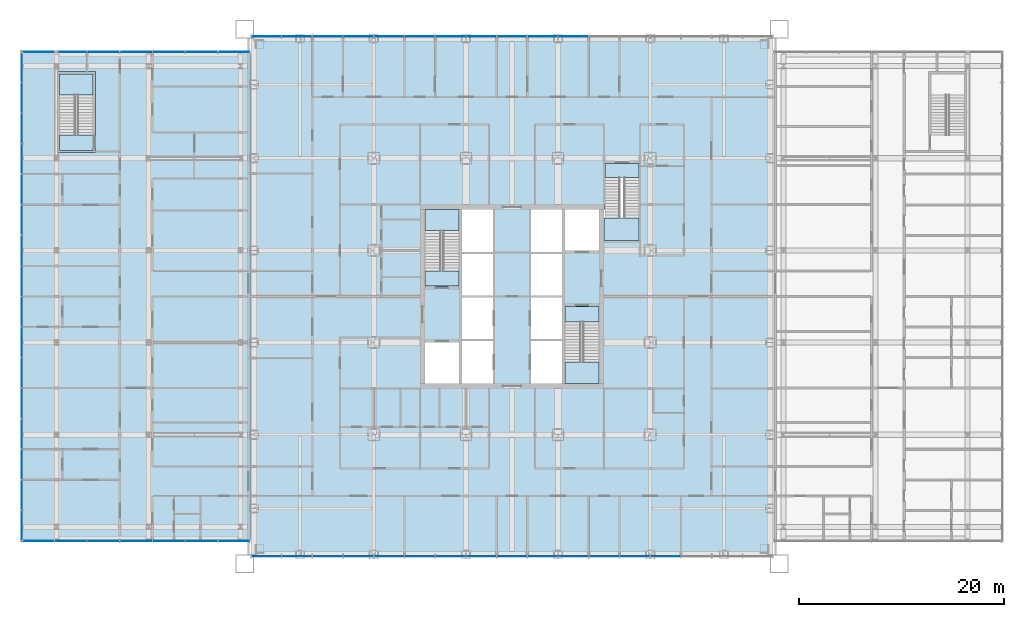
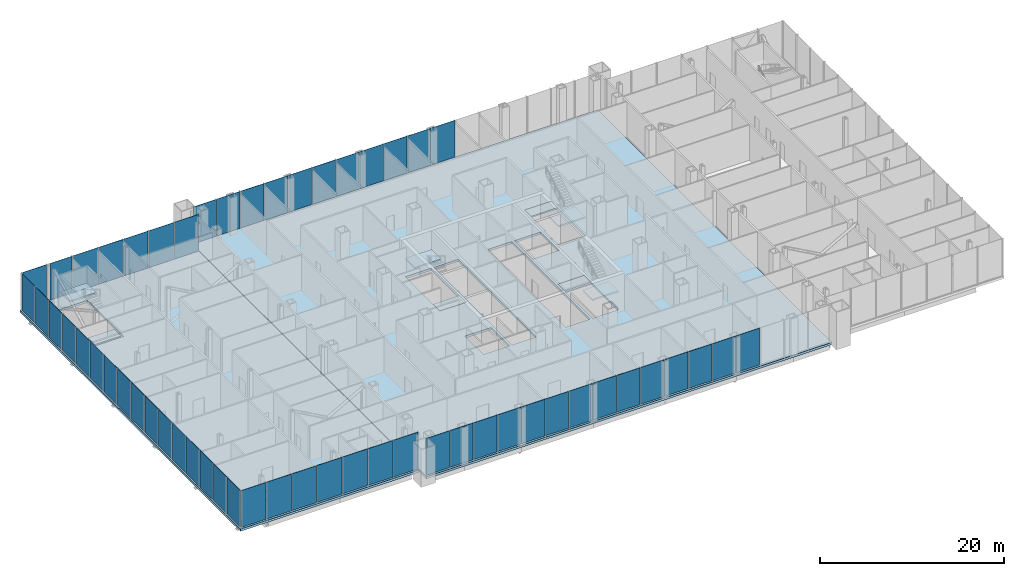
# One storey, part 10 of 25: 55 plates, 10 slabs, 9 elements without a shape of their own.
"""IFC4 building model written with IfcOpenShell, lengths in metres."""

from ifc_helpers import new_model, si_unit, direction, frame, origin, origin_2d, place, context, subcontext, project, spatial, polyline, rectangle, outline, extrude, material, layer, layer_set, type_object, element, aggregate, save


model = new_model("IFC4")

# Units and contexts
model_context = context("Model", 3, precision=1e-05, world=origin(), true_north=direction((0.0, 1.0)))
body_context = subcontext(model_context, "Body", "Model", "MODEL_VIEW")
ifc_project = project(units=[si_unit("LENGTHUNIT", "METRE"), si_unit("AREAUNIT", "SQUARE_METRE"), si_unit("VOLUMEUNIT", "CUBIC_METRE"), si_unit("PLANEANGLEUNIT", "RADIAN"), si_unit("MASSUNIT", "GRAM", prefix="KILO")], contexts=[model_context])

# Site, building, storey
site_placement = place(None, origin())
site = spatial("IfcSite", under=ifc_project, at=site_placement, CompositionType="ELEMENT")
building_placement = place(site_placement, origin())
building = spatial("IfcBuilding", under=site, at=building_placement, Name="Malebo Sky Hospital", CompositionType="ELEMENT")
storey_placement = place(building_placement, frame((0.0, 0.0, 6.0)))
storey = spatial("IfcBuildingStorey", under=building, at=storey_placement, Name="L01", CompositionType="ELEMENT", Elevation=6.0)

# Slabs
ifc_material_1 = material(Name="Concrete C40/50", Category="concrete")
ifc_layer_1 = layer(ifc_material_1, 0.300048828125)
ifc_layer_set_1 = layer_set([ifc_layer_1], Name="COMPOSITE FLOOR SLAB 300")
slab_type_1 = type_object("IfcSlabType", Name="COMPOSITE FLOOR SLAB 300", PredefinedType="FLOOR", material=ifc_layer_set_1)
slab_1_placement = place(storey_placement, frame((0.0, 0.0, -0.300048828125)))
element("IfcSlab", 1, at=slab_1_placement, inside=storey, type_object=slab_type_1, Name="Floor slab L01", PredefinedType="FLOOR", context=body_context, shape_type="SweptSolid", body=[
    extrude(outline(polyline([(34.5, 87.5), (34.5, 36.5), (85.5, 36.5), (85.5, 87.5), (34.5, 87.5)]), holes=[polyline([(55.10009765625, 70.5), (58.14990234375, 70.5), (58.14990234375, 53.5), (55.10009765625, 53.5), (55.10009765625, 70.5)]), polyline([(64.89990234375, 70.5), (64.89990234375, 53.5), (61.85009765625, 53.5), (61.85009765625, 70.5), (64.89990234375, 70.5)]), polyline([(54.800048828125, 63.0), (51.5, 63.0), (51.5, 70.5), (54.800048828125, 70.5), (54.800048828125, 63.0)]), polyline([(51.5, 53.5), (51.5, 57.5), (54.800048828125, 57.5), (54.800048828125, 53.5), (51.5, 53.5)]), polyline([(65.199951171875, 61.0), (68.5, 61.0), (68.5, 53.5), (65.199951171875, 53.5), (65.199951171875, 61.0)]), polyline([(68.5, 70.5), (68.5, 66.5), (65.199951171875, 66.5), (65.199951171875, 70.5), (68.5, 70.5)]), polyline([(69.0, 67.449951171875), (69.0, 70.52001953125), (69.10009765625, 70.52001953125), (69.10009765625, 75.0), (72.39990234375, 75.0), (72.39990234375, 67.449951171875), (69.10009765625, 67.449951171875), (69.0, 67.449951171875)])]), origin(), (0.0, 0.0, 1.0), 0.300048828125),
])
slab_2_placement = place(storey_placement, frame((0.0, 0.0, -0.300048828125)))
element("IfcSlab", 2, at=slab_2_placement, inside=storey, type_object=slab_type_1, Name="Floor slab L01 west wing", PredefinedType="FLOOR", context=body_context, shape_type="SweptSolid", body=[
    extrude(outline(polyline([(34.449951171875, 38.0), (34.449951171875, 86.0), (12.0, 86.0), (12.0, 38.0), (34.449951171875, 38.0)]), holes=[polyline([(19.300048828125, 76.050048828125), (15.60009765625, 76.050048828125), (15.60009765625, 83.949951171875), (19.300048828125, 83.949951171875), (19.300048828125, 76.050048828125)])]), origin(), (0.0, 0.0, 1.0), 0.300048828125),
])

# Stair, slabs
stair_type_1 = type_object("IfcStairType", Name="HALF-TURN STAIR 1500 R167", PredefinedType="HALF_TURN_STAIR", material=ifc_material_1)
stair_1_placement = place(storey_placement, origin())
stair_1 = element("IfcStair", 3, at=stair_1_placement, inside=storey, type_object=stair_type_1, Name="Stair S1 L01 type ST1", PredefinedType="HALF_TURN_STAIR")
ifc_layer_2 = layer(ifc_material_1, 0.199951171875)
ifc_layer_set_2 = layer_set([ifc_layer_2], Name="STAIR LANDING 200")
slab_type_2 = type_object("IfcSlabType", Name="STAIR LANDING 200", PredefinedType="LANDING", material=ifc_layer_set_2)
slab_3_placement = place(storey_placement, frame((0.0, 0.0, -0.199951171875)))
slab_3 = element("IfcSlab", 4, at=slab_3_placement, type_object=slab_type_2, Name="S1 landing 1", PredefinedType="LANDING", context=body_context, shape_type="SweptSolid", body=[
    extrude(outline(polyline([(51.5, 63.0), (54.800048828125, 63.0), (54.800048828125, 64.5), (51.5, 64.5), (51.5, 63.0)])), origin(), (0.0, 0.0, 1.0), 0.199951171875),
])
slab_4_placement = place(storey_placement, frame((0.0, 0.0, 2.300048828125)))
slab_4 = element("IfcSlab", 5, at=slab_4_placement, type_object=slab_type_2, Name="S1 landing 2", PredefinedType="LANDING", context=body_context, shape_type="SweptSolid", body=[
    extrude(outline(polyline([(51.5, 68.419921875), (54.800048828125, 68.419921875), (54.800048828125, 70.5), (51.5, 70.5), (51.5, 68.419921875)])), origin(), (0.0, 0.0, 1.0), 0.199951171875),
])
aggregate(stair_1, [slab_3, slab_4])

stair_2_placement = place(storey_placement, origin())
stair_2 = element("IfcStair", 6, at=stair_2_placement, inside=storey, type_object=stair_type_1, Name="Stair S2 L01 type ST1", PredefinedType="HALF_TURN_STAIR")
slab_5_placement = place(storey_placement, frame((0.0, 0.0, -0.199951171875)))
slab_5 = element("IfcSlab", 7, at=slab_5_placement, type_object=slab_type_2, Name="S2 landing 1", PredefinedType="LANDING", context=body_context, shape_type="SweptSolid", body=[
    extrude(outline(polyline([(65.199951171875, 59.5), (68.5, 59.5), (68.5, 61.0), (65.199951171875, 61.0), (65.199951171875, 59.5)])), origin(), (0.0, 0.0, 1.0), 0.199951171875),
])
slab_6_placement = place(storey_placement, frame((0.0, 0.0, 2.300048828125)))
slab_6 = element("IfcSlab", 8, at=slab_6_placement, type_object=slab_type_2, Name="S2 landing 2", PredefinedType="LANDING", context=body_context, shape_type="SweptSolid", body=[
    extrude(outline(polyline([(65.199951171875, 53.5), (68.5, 53.5), (68.5, 55.580078125), (65.199951171875, 55.580078125), (65.199951171875, 53.5)])), origin(), (0.0, 0.0, 1.0), 0.199951171875),
])
aggregate(stair_2, [slab_5, slab_6])

stair_type_2 = type_object("IfcStairType", Name="HALF-TURN STAIR 1400 R167", PredefinedType="HALF_TURN_STAIR", material=ifc_material_1)
stair_3_placement = place(storey_placement, origin())
stair_3 = element("IfcStair", 9, at=stair_3_placement, inside=storey, type_object=stair_type_2, Name="Stair S3 L01 type ST1B", PredefinedType="HALF_TURN_STAIR")
slab_7_placement = place(storey_placement, frame((0.0, 0.0, -0.199951171875)))
slab_7 = element("IfcSlab", 10, at=slab_7_placement, type_object=slab_type_2, Name="S3 landing 1", PredefinedType="LANDING", context=body_context, shape_type="SweptSolid", body=[
    extrude(outline(polyline([(69.10009765625, 73.60009765625), (72.39990234375, 73.60009765625), (72.39990234375, 75.0), (69.10009765625, 75.0), (69.10009765625, 73.60009765625)])), origin(), (0.0, 0.0, 1.0), 0.199951171875),
])
slab_8_placement = place(storey_placement, frame((0.0, 0.0, 2.300048828125)))
slab_8 = element("IfcSlab", 11, at=slab_8_placement, type_object=slab_type_2, Name="S3 landing 2", PredefinedType="LANDING", context=body_context, shape_type="SweptSolid", body=[
    extrude(outline(polyline([(69.0, 67.449951171875), (72.39990234375, 67.449951171875), (72.39990234375, 69.679931640625), (69.0, 69.679931640625), (69.0, 67.449951171875)])), origin(), (0.0, 0.0, 1.0), 0.199951171875),
])
aggregate(stair_3, [slab_7, slab_8])

stair_4_placement = place(storey_placement, origin())
stair_4 = element("IfcStair", 12, at=stair_4_placement, inside=storey, type_object=stair_type_1, Name="Stair WS L01 type ST1", PredefinedType="HALF_TURN_STAIR")
slab_9_placement = place(storey_placement, frame((0.0, 0.0, -0.199951171875)))
slab_9 = element("IfcSlab", 13, at=slab_9_placement, type_object=slab_type_2, Name="WS landing 1", PredefinedType="LANDING", context=body_context, shape_type="SweptSolid", body=[
    extrude(outline(polyline([(15.800048828125, 76.25), (19.10009765625, 76.25), (19.10009765625, 77.75), (15.800048828125, 77.75), (15.800048828125, 76.25)])), origin(), (0.0, 0.0, 1.0), 0.199951171875),
])
slab_10_placement = place(storey_placement, frame((0.0, 0.0, 2.300048828125)))
slab_10 = element("IfcSlab", 14, at=slab_10_placement, type_object=slab_type_2, Name="WS landing 2", PredefinedType="LANDING", context=body_context, shape_type="SweptSolid", body=[
    extrude(outline(polyline([(15.800048828125, 81.669921875), (19.10009765625, 81.669921875), (19.10009765625, 83.75), (15.800048828125, 83.75), (15.800048828125, 81.669921875)])), origin(), (0.0, 0.0, 1.0), 0.199951171875),
])
aggregate(stair_4, [slab_9, slab_10])

# Curtain wall, plates
ifc_material_2 = material(Name="Anodised aluminium, natural silver", Category="aluminium")
ifc_layer_3 = layer(ifc_material_2, 0.25)
ifc_layer_set_3 = layer_set([ifc_layer_3], Name="PODIUM CURTAIN WALL")
curtain_wall_type_1 = type_object("IfcCurtainWallType", Name="PODIUM CURTAIN WALL", PredefinedType="NOTDEFINED", material=ifc_layer_set_3)
curtain_wall_1_placement = place(storey_placement, origin())
curtain_wall_1 = element("IfcCurtainWall", 15, at=curtain_wall_1_placement, inside=storey, type_object=curtain_wall_type_1, Name="POD curtain wall WW", PredefinedType="NOTDEFINED")
ifc_material_3 = material(Name="Clear low-iron double glazing", Category="glass")
ifc_layer_4 = layer(ifc_material_3, 0.031982421875)
ifc_layer_set_4 = layer_set([ifc_layer_4], Name="VISION PANEL CLEAR 32")
plate_type = type_object("IfcPlateType", Name="VISION PANEL CLEAR 32", PredefinedType="CURTAIN_PANEL", material=ifc_layer_set_4)
plate_1_placement = place(storey_placement, frame((12.125, 84.364013671875, 0.10009765625), z_axis=(0.0, 0.0, 1.0), x_axis=(0.0, -1.0, 0.0)))
plate_1 = element("IfcPlate", 16, at=plate_1_placement, type_object=plate_type, Name="Panel 1", PredefinedType="CURTAIN_PANEL", context=body_context, shape_type="SweptSolid", body=[
    extrude(rectangle(XDim=2.871826171875, YDim=0.031982421875, at=origin_2d()), origin(), (0.0, 0.0, 1.0), 4.889892578125),
])
plate_2_placement = place(storey_placement, frame((12.125, 81.3984375, 0.10009765625), z_axis=(0.0, 0.0, 1.0), x_axis=(0.0, -1.0, 0.0)))
plate_2 = element("IfcPlate", 17, at=plate_2_placement, type_object=plate_type, Name="Panel 2", PredefinedType="CURTAIN_PANEL", context=body_context, shape_type="SweptSolid", body=[
    extrude(rectangle(XDim=2.909423828125, YDim=0.031982421875, at=origin_2d()), origin(), (0.0, 0.0, 1.0), 4.889892578125),
])
plate_3_placement = place(storey_placement, frame((12.125, 78.4140625, 0.10009765625), z_axis=(0.0, 0.0, 1.0), x_axis=(0.0, -1.0, 0.0)))
plate_3 = element("IfcPlate", 18, at=plate_3_placement, type_object=plate_type, Name="Panel 3", PredefinedType="CURTAIN_PANEL", context=body_context, shape_type="SweptSolid", body=[
    extrude(rectangle(XDim=2.9091796875, YDim=0.031982421875, at=origin_2d()), origin(), (0.0, 0.0, 1.0), 4.889892578125),
])
plate_4_placement = place(storey_placement, frame((12.125, 75.4296875, 0.10009765625), z_axis=(0.0, 0.0, 1.0), x_axis=(0.0, -1.0, 0.0)))
plate_4 = element("IfcPlate", 19, at=plate_4_placement, type_object=plate_type, Name="Panel 4", PredefinedType="CURTAIN_PANEL", context=body_context, shape_type="SweptSolid", body=[
    extrude(rectangle(XDim=2.909423828125, YDim=0.031982421875, at=origin_2d()), origin(), (0.0, 0.0, 1.0), 4.889892578125),
])
plate_5_placement = place(storey_placement, frame((12.125, 72.4453125, 0.10009765625), z_axis=(0.0, 0.0, 1.0), x_axis=(0.0, -1.0, 0.0)))
plate_5 = element("IfcPlate", 20, at=plate_5_placement, type_object=plate_type, Name="Panel 5", PredefinedType="CURTAIN_PANEL", context=body_context, shape_type="SweptSolid", body=[
    extrude(rectangle(XDim=2.909423828125, YDim=0.031982421875, at=origin_2d()), origin(), (0.0, 0.0, 1.0), 4.889892578125),
])
plate_6_placement = place(storey_placement, frame((12.125, 69.4609375, 0.10009765625), z_axis=(0.0, 0.0, 1.0), x_axis=(0.0, -1.0, 0.0)))
plate_6 = element("IfcPlate", 21, at=plate_6_placement, type_object=plate_type, Name="Panel 6", PredefinedType="CURTAIN_PANEL", context=body_context, shape_type="SweptSolid", body=[
    extrude(rectangle(XDim=2.9091796875, YDim=0.031982421875, at=origin_2d()), origin(), (0.0, 0.0, 1.0), 4.889892578125),
])
plate_7_placement = place(storey_placement, frame((12.125, 66.4765625, 0.10009765625), z_axis=(0.0, 0.0, 1.0), x_axis=(0.0, -1.0, 0.0)))
plate_7 = element("IfcPlate", 22, at=plate_7_placement, type_object=plate_type, Name="Panel 7", PredefinedType="CURTAIN_PANEL", context=body_context, shape_type="SweptSolid", body=[
    extrude(rectangle(XDim=2.909423828125, YDim=0.031982421875, at=origin_2d()), origin(), (0.0, 0.0, 1.0), 4.889892578125),
])
plate_8_placement = place(storey_placement, frame((12.125, 63.4921875, 0.10009765625), z_axis=(0.0, 0.0, 1.0), x_axis=(0.0, -1.0, 0.0)))
plate_8 = element("IfcPlate", 23, at=plate_8_placement, type_object=plate_type, Name="Panel 8", PredefinedType="CURTAIN_PANEL", context=body_context, shape_type="SweptSolid", body=[
    extrude(rectangle(XDim=2.909423828125, YDim=0.031982421875, at=origin_2d()), origin(), (0.0, 0.0, 1.0), 4.889892578125),
])
plate_9_placement = place(storey_placement, frame((12.125, 60.5078125, 0.10009765625), z_axis=(0.0, 0.0, 1.0), x_axis=(0.0, -1.0, 0.0)))
plate_9 = element("IfcPlate", 24, at=plate_9_placement, type_object=plate_type, Name="Panel 9", PredefinedType="CURTAIN_PANEL", context=body_context, shape_type="SweptSolid", body=[
    extrude(rectangle(XDim=2.909423828125, YDim=0.031982421875, at=origin_2d()), origin(), (0.0, 0.0, 1.0), 4.889892578125),
])
plate_10_placement = place(storey_placement, frame((12.125, 57.5234375, 0.10009765625), z_axis=(0.0, 0.0, 1.0), x_axis=(0.0, -1.0, 0.0)))
plate_10 = element("IfcPlate", 25, at=plate_10_placement, type_object=plate_type, Name="Panel 10", PredefinedType="CURTAIN_PANEL", context=body_context, shape_type="SweptSolid", body=[
    extrude(rectangle(XDim=2.909423828125, YDim=0.031982421875, at=origin_2d()), origin(), (0.0, 0.0, 1.0), 4.889892578125),
])
plate_11_placement = place(storey_placement, frame((12.125, 54.5390625, 0.10009765625), z_axis=(0.0, 0.0, 1.0), x_axis=(0.0, -1.0, 0.0)))
plate_11 = element("IfcPlate", 26, at=plate_11_placement, type_object=plate_type, Name="Panel 11", PredefinedType="CURTAIN_PANEL", context=body_context, shape_type="SweptSolid", body=[
    extrude(rectangle(XDim=2.9091796875, YDim=0.031982421875, at=origin_2d()), origin(), (0.0, 0.0, 1.0), 4.889892578125),
])
plate_12_placement = place(storey_placement, frame((12.125, 51.5546875, 0.10009765625), z_axis=(0.0, 0.0, 1.0), x_axis=(0.0, -1.0, 0.0)))
plate_12 = element("IfcPlate", 27, at=plate_12_placement, type_object=plate_type, Name="Panel 12", PredefinedType="CURTAIN_PANEL", context=body_context, shape_type="SweptSolid", body=[
    extrude(rectangle(XDim=2.909423828125, YDim=0.031982421875, at=origin_2d()), origin(), (0.0, 0.0, 1.0), 4.889892578125),
])
plate_13_placement = place(storey_placement, frame((12.125, 48.5703125, 0.10009765625), z_axis=(0.0, 0.0, 1.0), x_axis=(0.0, -1.0, 0.0)))
plate_13 = element("IfcPlate", 28, at=plate_13_placement, type_object=plate_type, Name="Panel 13", PredefinedType="CURTAIN_PANEL", context=body_context, shape_type="SweptSolid", body=[
    extrude(rectangle(XDim=2.909423828125, YDim=0.031982421875, at=origin_2d()), origin(), (0.0, 0.0, 1.0), 4.889892578125),
])
plate_14_placement = place(storey_placement, frame((12.125, 45.5859375, 0.10009765625), z_axis=(0.0, 0.0, 1.0), x_axis=(0.0, -1.0, 0.0)))
plate_14 = element("IfcPlate", 29, at=plate_14_placement, type_object=plate_type, Name="Panel 14", PredefinedType="CURTAIN_PANEL", context=body_context, shape_type="SweptSolid", body=[
    extrude(rectangle(XDim=2.9091796875, YDim=0.031982421875, at=origin_2d()), origin(), (0.0, 0.0, 1.0), 4.889892578125),
])
plate_15_placement = place(storey_placement, frame((12.125, 42.6015625, 0.10009765625), z_axis=(0.0, 0.0, 1.0), x_axis=(0.0, -1.0, 0.0)))
plate_15 = element("IfcPlate", 30, at=plate_15_placement, type_object=plate_type, Name="Panel 15", PredefinedType="CURTAIN_PANEL", context=body_context, shape_type="SweptSolid", body=[
    extrude(rectangle(XDim=2.909423828125, YDim=0.031982421875, at=origin_2d()), origin(), (0.0, 0.0, 1.0), 4.889892578125),
])
plate_16_placement = place(storey_placement, frame((12.125, 39.635986328125, 0.10009765625), z_axis=(0.0, 0.0, 1.0), x_axis=(0.0, -1.0, 0.0)))
plate_16 = element("IfcPlate", 31, at=plate_16_placement, type_object=plate_type, Name="Panel 16", PredefinedType="CURTAIN_PANEL", context=body_context, shape_type="SweptSolid", body=[
    extrude(rectangle(XDim=2.871826171875, YDim=0.031982421875, at=origin_2d()), origin(), (0.0, 0.0, 1.0), 4.889892578125),
])
aggregate(curtain_wall_1, [plate_1, plate_2, plate_3, plate_4, plate_5, plate_6, plate_7, plate_8, plate_9, plate_10, plate_11, plate_12, plate_13, plate_14, plate_15, plate_16])

curtain_wall_2_placement = place(storey_placement, origin())
curtain_wall_2 = element("IfcCurtainWall", 32, at=curtain_wall_2_placement, inside=storey, type_object=curtain_wall_type_1, Name="POD curtain wall WS", PredefinedType="NOTDEFINED")
plate_17_placement = place(storey_placement, frame((13.73828125, 38.125, 0.10009765625), z_axis=(0.0, 0.0, 1.0), x_axis=(1.0, 0.0, 0.0)))
plate_17 = element("IfcPlate", 33, at=plate_17_placement, type_object=plate_type, Name="Panel 1", PredefinedType="CURTAIN_PANEL", context=body_context, shape_type="SweptSolid", body=[
    extrude(rectangle(XDim=3.076904296875, YDim=0.031982421875, at=origin_2d()), origin(), (0.0, 0.0, 1.0), 4.889892578125),
])
plate_18_placement = place(storey_placement, frame((16.908935546875, 38.125, 0.10009765625), z_axis=(0.0, 0.0, 1.0), x_axis=(1.0, 0.0, 0.0)))
plate_18 = element("IfcPlate", 34, at=plate_18_placement, type_object=plate_type, Name="Panel 2", PredefinedType="CURTAIN_PANEL", context=body_context, shape_type="SweptSolid", body=[
    extrude(rectangle(XDim=3.1142578125, YDim=0.031982421875, at=origin_2d()), origin(), (0.0, 0.0, 1.0), 4.889892578125),
])
plate_19_placement = place(storey_placement, frame((20.09814453125, 38.125, 0.10009765625), z_axis=(0.0, 0.0, 1.0), x_axis=(1.0, 0.0, 0.0)))
plate_19 = element("IfcPlate", 35, at=plate_19_placement, type_object=plate_type, Name="Panel 3", PredefinedType="CURTAIN_PANEL", context=body_context, shape_type="SweptSolid", body=[
    extrude(rectangle(XDim=3.1142578125, YDim=0.031982421875, at=origin_2d()), origin(), (0.0, 0.0, 1.0), 4.889892578125),
])
plate_20_placement = place(storey_placement, frame((23.28759765625, 38.125, 0.10009765625), z_axis=(0.0, 0.0, 1.0), x_axis=(1.0, 0.0, 0.0)))
plate_20 = element("IfcPlate", 36, at=plate_20_placement, type_object=plate_type, Name="Panel 4", PredefinedType="CURTAIN_PANEL", context=body_context, shape_type="SweptSolid", body=[
    extrude(rectangle(XDim=3.1142578125, YDim=0.031982421875, at=origin_2d()), origin(), (0.0, 0.0, 1.0), 4.889892578125),
])
plate_21_placement = place(storey_placement, frame((26.476806640625, 38.125, 0.10009765625), z_axis=(0.0, 0.0, 1.0), x_axis=(1.0, 0.0, 0.0)))
plate_21 = element("IfcPlate", 37, at=plate_21_placement, type_object=plate_type, Name="Panel 5", PredefinedType="CURTAIN_PANEL", context=body_context, shape_type="SweptSolid", body=[
    extrude(rectangle(XDim=3.1142578125, YDim=0.031982421875, at=origin_2d()), origin(), (0.0, 0.0, 1.0), 4.889892578125),
])
plate_22_placement = place(storey_placement, frame((29.666015625, 38.125, 0.10009765625), z_axis=(0.0, 0.0, 1.0), x_axis=(1.0, 0.0, 0.0)))
plate_22 = element("IfcPlate", 38, at=plate_22_placement, type_object=plate_type, Name="Panel 6", PredefinedType="CURTAIN_PANEL", context=body_context, shape_type="SweptSolid", body=[
    extrude(rectangle(XDim=3.1142578125, YDim=0.031982421875, at=origin_2d()), origin(), (0.0, 0.0, 1.0), 4.889892578125),
])
plate_23_placement = place(storey_placement, frame((32.836669921875, 38.125, 0.10009765625), z_axis=(0.0, 0.0, 1.0), x_axis=(1.0, 0.0, 0.0)))
plate_23 = element("IfcPlate", 39, at=plate_23_placement, type_object=plate_type, Name="Panel 7", PredefinedType="CURTAIN_PANEL", context=body_context, shape_type="SweptSolid", body=[
    extrude(rectangle(XDim=3.076904296875, YDim=0.031982421875, at=origin_2d()), origin(), (0.0, 0.0, 1.0), 4.889892578125),
])
aggregate(curtain_wall_2, [plate_17, plate_18, plate_19, plate_20, plate_21, plate_22, plate_23])

curtain_wall_3_placement = place(storey_placement, origin())
curtain_wall_3 = element("IfcCurtainWall", 40, at=curtain_wall_3_placement, inside=storey, type_object=curtain_wall_type_1, Name="POD curtain wall WN", PredefinedType="NOTDEFINED")
plate_24_placement = place(storey_placement, frame((32.836669921875, 85.875, 0.10009765625), z_axis=(0.0, 0.0, 1.0), x_axis=(-1.0, 0.0, 0.0)))
plate_24 = element("IfcPlate", 41, at=plate_24_placement, type_object=plate_type, Name="Panel 1", PredefinedType="CURTAIN_PANEL", context=body_context, shape_type="SweptSolid", body=[
    extrude(rectangle(XDim=3.076904296875, YDim=0.031982421875, at=origin_2d()), origin(), (0.0, 0.0, 1.0), 4.889892578125),
])
plate_25_placement = place(storey_placement, frame((29.666015625, 85.875, 0.10009765625), z_axis=(0.0, 0.0, 1.0), x_axis=(-1.0, 0.0, 0.0)))
plate_25 = element("IfcPlate", 42, at=plate_25_placement, type_object=plate_type, Name="Panel 2", PredefinedType="CURTAIN_PANEL", context=body_context, shape_type="SweptSolid", body=[
    extrude(rectangle(XDim=3.1142578125, YDim=0.031982421875, at=origin_2d()), origin(), (0.0, 0.0, 1.0), 4.889892578125),
])
plate_26_placement = place(storey_placement, frame((26.476806640625, 85.875, 0.10009765625), z_axis=(0.0, 0.0, 1.0), x_axis=(-1.0, 0.0, 0.0)))
plate_26 = element("IfcPlate", 43, at=plate_26_placement, type_object=plate_type, Name="Panel 3", PredefinedType="CURTAIN_PANEL", context=body_context, shape_type="SweptSolid", body=[
    extrude(rectangle(XDim=3.1142578125, YDim=0.031982421875, at=origin_2d()), origin(), (0.0, 0.0, 1.0), 4.889892578125),
])
plate_27_placement = place(storey_placement, frame((23.28759765625, 85.875, 0.10009765625), z_axis=(0.0, 0.0, 1.0), x_axis=(-1.0, 0.0, 0.0)))
plate_27 = element("IfcPlate", 44, at=plate_27_placement, type_object=plate_type, Name="Panel 4", PredefinedType="CURTAIN_PANEL", context=body_context, shape_type="SweptSolid", body=[
    extrude(rectangle(XDim=3.1142578125, YDim=0.031982421875, at=origin_2d()), origin(), (0.0, 0.0, 1.0), 4.889892578125),
])
plate_28_placement = place(storey_placement, frame((20.09814453125, 85.875, 0.10009765625), z_axis=(0.0, 0.0, 1.0), x_axis=(-1.0, 0.0, 0.0)))
plate_28 = element("IfcPlate", 45, at=plate_28_placement, type_object=plate_type, Name="Panel 5", PredefinedType="CURTAIN_PANEL", context=body_context, shape_type="SweptSolid", body=[
    extrude(rectangle(XDim=3.1142578125, YDim=0.031982421875, at=origin_2d()), origin(), (0.0, 0.0, 1.0), 4.889892578125),
])
plate_29_placement = place(storey_placement, frame((17.07666015625, 85.875, 0.160400390625), z_axis=(0.0, 0.0, 1.0), x_axis=(-1.0, 0.0, 0.0)))
plate_29 = element("IfcPlate", 46, at=plate_29_placement, type_object=plate_type, Name="Panel 6", PredefinedType="CURTAIN_PANEL", context=body_context, shape_type="SweptSolid", body=[
    extrude(outline(polyline([(-1.389404296875, 0.0), (1.389404296875, 0.0), (1.389404296875, 4.82958984375), (-1.389404296875, 4.82958984375), (-1.389404296875, 0.0)])), frame((0.0, 0.01611328125, 0.0), z_axis=(0.0, -1.0, 0.0), x_axis=(1.0, 0.0, 0.0)), (0.0, 0.0, 1.0), 0.031982421875),
])
plate_30_placement = place(storey_placement, frame((13.73828125, 85.875, 0.10009765625), z_axis=(0.0, 0.0, 1.0), x_axis=(-1.0, 0.0, 0.0)))
plate_30 = element("IfcPlate", 47, at=plate_30_placement, type_object=plate_type, Name="Panel 7", PredefinedType="CURTAIN_PANEL", context=body_context, shape_type="SweptSolid", body=[
    extrude(rectangle(XDim=3.076904296875, YDim=0.031982421875, at=origin_2d()), origin(), (0.0, 0.0, 1.0), 4.889892578125),
])
aggregate(curtain_wall_3, [plate_24, plate_25, plate_26, plate_27, plate_28, plate_29, plate_30])

ifc_layer_5 = layer(ifc_material_2, 0.25)
ifc_layer_set_5 = layer_set([ifc_layer_5], Name="PODIUM ENTRANCE BAY CURTAIN WALL")
curtain_wall_type_2 = type_object("IfcCurtainWallType", Name="PODIUM ENTRANCE BAY CURTAIN WALL", PredefinedType="NOTDEFINED", material=ifc_layer_set_5)
curtain_wall_4_placement = place(storey_placement, origin())
curtain_wall_4 = element("IfcCurtainWall", 48, at=curtain_wall_4_placement, inside=storey, type_object=curtain_wall_type_2, Name="BAY curtain wall BS", PredefinedType="NOTDEFINED")
plate_31_placement = place(storey_placement, frame((36.018798828125, 36.625, 0.10009765625), z_axis=(0.0, 0.0, 1.0), x_axis=(1.0, 0.0, 0.0)))
plate_31 = element("IfcPlate", 49, at=plate_31_placement, type_object=plate_type, Name="Panel 1", PredefinedType="CURTAIN_PANEL", context=body_context, shape_type="SweptSolid", body=[
    extrude(rectangle(XDim=2.887451171875, YDim=0.031982421875, at=origin_2d()), origin(), (0.0, 0.0, 1.0), 4.889892578125),
])
plate_32_placement = place(storey_placement, frame((39.0, 36.625, 0.10009765625), z_axis=(0.0, 0.0, 1.0), x_axis=(1.0, 0.0, 0.0)))
plate_32 = element("IfcPlate", 50, at=plate_32_placement, type_object=plate_type, Name="Panel 2", PredefinedType="CURTAIN_PANEL", context=body_context, shape_type="SweptSolid", body=[
    extrude(rectangle(XDim=2.925048828125, YDim=0.031982421875, at=origin_2d()), origin(), (0.0, 0.0, 1.0), 4.889892578125),
])
plate_33_placement = place(storey_placement, frame((42.0, 36.625, 0.10009765625), z_axis=(0.0, 0.0, 1.0), x_axis=(1.0, 0.0, 0.0)))
plate_33 = element("IfcPlate", 51, at=plate_33_placement, type_object=plate_type, Name="Panel 3", PredefinedType="CURTAIN_PANEL", context=body_context, shape_type="SweptSolid", body=[
    extrude(rectangle(XDim=2.925048828125, YDim=0.031982421875, at=origin_2d()), origin(), (0.0, 0.0, 1.0), 4.889892578125),
])
plate_34_placement = place(storey_placement, frame((45.0, 36.625, 0.10009765625), z_axis=(0.0, 0.0, 1.0), x_axis=(1.0, 0.0, 0.0)))
plate_34 = element("IfcPlate", 52, at=plate_34_placement, type_object=plate_type, Name="Panel 4", PredefinedType="CURTAIN_PANEL", context=body_context, shape_type="SweptSolid", body=[
    extrude(rectangle(XDim=2.925048828125, YDim=0.031982421875, at=origin_2d()), origin(), (0.0, 0.0, 1.0), 4.889892578125),
])
plate_35_placement = place(storey_placement, frame((48.0, 36.625, 0.10009765625), z_axis=(0.0, 0.0, 1.0), x_axis=(1.0, 0.0, 0.0)))
plate_35 = element("IfcPlate", 53, at=plate_35_placement, type_object=plate_type, Name="Panel 5", PredefinedType="CURTAIN_PANEL", context=body_context, shape_type="SweptSolid", body=[
    extrude(rectangle(XDim=2.925048828125, YDim=0.031982421875, at=origin_2d()), origin(), (0.0, 0.0, 1.0), 4.889892578125),
])
plate_36_placement = place(storey_placement, frame((51.0, 36.625, 0.10009765625), z_axis=(0.0, 0.0, 1.0), x_axis=(1.0, 0.0, 0.0)))
plate_36 = element("IfcPlate", 54, at=plate_36_placement, type_object=plate_type, Name="Panel 6", PredefinedType="CURTAIN_PANEL", context=body_context, shape_type="SweptSolid", body=[
    extrude(rectangle(XDim=2.925048828125, YDim=0.031982421875, at=origin_2d()), origin(), (0.0, 0.0, 1.0), 4.889892578125),
])
plate_37_placement = place(storey_placement, frame((54.0, 36.625, 0.10009765625), z_axis=(0.0, 0.0, 1.0), x_axis=(1.0, 0.0, 0.0)))
plate_37 = element("IfcPlate", 55, at=plate_37_placement, type_object=plate_type, Name="Panel 7", PredefinedType="CURTAIN_PANEL", context=body_context, shape_type="SweptSolid", body=[
    extrude(rectangle(XDim=2.925048828125, YDim=0.031982421875, at=origin_2d()), origin(), (0.0, 0.0, 1.0), 4.889892578125),
])
plate_38_placement = place(storey_placement, frame((57.0, 36.625, 0.10009765625), z_axis=(0.0, 0.0, 1.0), x_axis=(1.0, 0.0, 0.0)))
plate_38 = element("IfcPlate", 56, at=plate_38_placement, type_object=plate_type, Name="Panel 8", PredefinedType="CURTAIN_PANEL", context=body_context, shape_type="SweptSolid", body=[
    extrude(rectangle(XDim=2.925048828125, YDim=0.031982421875, at=origin_2d()), origin(), (0.0, 0.0, 1.0), 4.889892578125),
])
plate_39_placement = place(storey_placement, frame((60.0, 36.625, 0.10009765625), z_axis=(0.0, 0.0, 1.0), x_axis=(1.0, 0.0, 0.0)))
plate_39 = element("IfcPlate", 57, at=plate_39_placement, type_object=plate_type, Name="Panel 9", PredefinedType="CURTAIN_PANEL", context=body_context, shape_type="SweptSolid", body=[
    extrude(rectangle(XDim=2.925048828125, YDim=0.031982421875, at=origin_2d()), origin(), (0.0, 0.0, 1.0), 4.889892578125),
])
plate_40_placement = place(storey_placement, frame((63.0, 36.625, 0.10009765625), z_axis=(0.0, 0.0, 1.0), x_axis=(1.0, 0.0, 0.0)))
plate_40 = element("IfcPlate", 58, at=plate_40_placement, type_object=plate_type, Name="Panel 10", PredefinedType="CURTAIN_PANEL", context=body_context, shape_type="SweptSolid", body=[
    extrude(rectangle(XDim=2.925048828125, YDim=0.031982421875, at=origin_2d()), origin(), (0.0, 0.0, 1.0), 4.889892578125),
])
plate_41_placement = place(storey_placement, frame((66.0, 36.625, 0.10009765625), z_axis=(0.0, 0.0, 1.0), x_axis=(1.0, 0.0, 0.0)))
plate_41 = element("IfcPlate", 59, at=plate_41_placement, type_object=plate_type, Name="Panel 11", PredefinedType="CURTAIN_PANEL", context=body_context, shape_type="SweptSolid", body=[
    extrude(rectangle(XDim=2.925048828125, YDim=0.031982421875, at=origin_2d()), origin(), (0.0, 0.0, 1.0), 4.889892578125),
])
plate_42_placement = place(storey_placement, frame((69.0, 36.625, 0.10009765625), z_axis=(0.0, 0.0, 1.0), x_axis=(1.0, 0.0, 0.0)))
plate_42 = element("IfcPlate", 60, at=plate_42_placement, type_object=plate_type, Name="Panel 12", PredefinedType="CURTAIN_PANEL", context=body_context, shape_type="SweptSolid", body=[
    extrude(rectangle(XDim=2.925048828125, YDim=0.031982421875, at=origin_2d()), origin(), (0.0, 0.0, 1.0), 4.889892578125),
])
plate_43_placement = place(storey_placement, frame((72.0, 36.625, 0.10009765625), z_axis=(0.0, 0.0, 1.0), x_axis=(1.0, 0.0, 0.0)))
plate_43 = element("IfcPlate", 61, at=plate_43_placement, type_object=plate_type, Name="Panel 13", PredefinedType="CURTAIN_PANEL", context=body_context, shape_type="SweptSolid", body=[
    extrude(rectangle(XDim=2.925048828125, YDim=0.031982421875, at=origin_2d()), origin(), (0.0, 0.0, 1.0), 4.889892578125),
])
plate_44_placement = place(storey_placement, frame((75.0, 36.625, 0.10009765625), z_axis=(0.0, 0.0, 1.0), x_axis=(1.0, 0.0, 0.0)))
plate_44 = element("IfcPlate", 62, at=plate_44_placement, type_object=plate_type, Name="Panel 14", PredefinedType="CURTAIN_PANEL", context=body_context, shape_type="SweptSolid", body=[
    extrude(rectangle(XDim=2.925048828125, YDim=0.031982421875, at=origin_2d()), origin(), (0.0, 0.0, 1.0), 4.889892578125),
])
aggregate(curtain_wall_4, [plate_31, plate_32, plate_33, plate_34, plate_35, plate_36, plate_37, plate_38, plate_39, plate_40, plate_41, plate_42, plate_43, plate_44])

curtain_wall_5_placement = place(storey_placement, origin())
curtain_wall_5 = element("IfcCurtainWall", 63, at=curtain_wall_5_placement, inside=storey, type_object=curtain_wall_type_2, Name="BAY curtain wall BN", PredefinedType="NOTDEFINED")
plate_45_placement = place(storey_placement, frame((66.0, 87.375, 0.10009765625), z_axis=(0.0, 0.0, 1.0), x_axis=(-1.0, 0.0, 0.0)))
plate_45 = element("IfcPlate", 64, at=plate_45_placement, type_object=plate_type, Name="Panel 7", PredefinedType="CURTAIN_PANEL", context=body_context, shape_type="SweptSolid", body=[
    extrude(rectangle(XDim=2.925048828125, YDim=0.031982421875, at=origin_2d()), origin(), (0.0, 0.0, 1.0), 4.889892578125),
])
plate_46_placement = place(storey_placement, frame((63.0, 87.375, 0.10009765625), z_axis=(0.0, 0.0, 1.0), x_axis=(-1.0, 0.0, 0.0)))
plate_46 = element("IfcPlate", 65, at=plate_46_placement, type_object=plate_type, Name="Panel 8", PredefinedType="CURTAIN_PANEL", context=body_context, shape_type="SweptSolid", body=[
    extrude(rectangle(XDim=2.925048828125, YDim=0.031982421875, at=origin_2d()), origin(), (0.0, 0.0, 1.0), 4.889892578125),
])
plate_47_placement = place(storey_placement, frame((60.0, 87.375, 0.10009765625), z_axis=(0.0, 0.0, 1.0), x_axis=(-1.0, 0.0, 0.0)))
plate_47 = element("IfcPlate", 66, at=plate_47_placement, type_object=plate_type, Name="Panel 9", PredefinedType="CURTAIN_PANEL", context=body_context, shape_type="SweptSolid", body=[
    extrude(rectangle(XDim=2.925048828125, YDim=0.031982421875, at=origin_2d()), origin(), (0.0, 0.0, 1.0), 4.889892578125),
])
plate_48_placement = place(storey_placement, frame((57.0, 87.375, 0.10009765625), z_axis=(0.0, 0.0, 1.0), x_axis=(-1.0, 0.0, 0.0)))
plate_48 = element("IfcPlate", 67, at=plate_48_placement, type_object=plate_type, Name="Panel 10", PredefinedType="CURTAIN_PANEL", context=body_context, shape_type="SweptSolid", body=[
    extrude(rectangle(XDim=2.925048828125, YDim=0.031982421875, at=origin_2d()), origin(), (0.0, 0.0, 1.0), 4.889892578125),
])
plate_49_placement = place(storey_placement, frame((54.0, 87.375, 0.10009765625), z_axis=(0.0, 0.0, 1.0), x_axis=(-1.0, 0.0, 0.0)))
plate_49 = element("IfcPlate", 68, at=plate_49_placement, type_object=plate_type, Name="Panel 11", PredefinedType="CURTAIN_PANEL", context=body_context, shape_type="SweptSolid", body=[
    extrude(rectangle(XDim=2.925048828125, YDim=0.031982421875, at=origin_2d()), origin(), (0.0, 0.0, 1.0), 4.889892578125),
])
plate_50_placement = place(storey_placement, frame((51.0, 87.375, 0.10009765625), z_axis=(0.0, 0.0, 1.0), x_axis=(-1.0, 0.0, 0.0)))
plate_50 = element("IfcPlate", 69, at=plate_50_placement, type_object=plate_type, Name="Panel 12", PredefinedType="CURTAIN_PANEL", context=body_context, shape_type="SweptSolid", body=[
    extrude(rectangle(XDim=2.925048828125, YDim=0.031982421875, at=origin_2d()), origin(), (0.0, 0.0, 1.0), 4.889892578125),
])
plate_51_placement = place(storey_placement, frame((48.0, 87.375, 0.10009765625), z_axis=(0.0, 0.0, 1.0), x_axis=(-1.0, 0.0, 0.0)))
plate_51 = element("IfcPlate", 70, at=plate_51_placement, type_object=plate_type, Name="Panel 13", PredefinedType="CURTAIN_PANEL", context=body_context, shape_type="SweptSolid", body=[
    extrude(rectangle(XDim=2.925048828125, YDim=0.031982421875, at=origin_2d()), origin(), (0.0, 0.0, 1.0), 4.889892578125),
])
plate_52_placement = place(storey_placement, frame((45.0, 87.375, 0.10009765625), z_axis=(0.0, 0.0, 1.0), x_axis=(-1.0, 0.0, 0.0)))
plate_52 = element("IfcPlate", 71, at=plate_52_placement, type_object=plate_type, Name="Panel 14", PredefinedType="CURTAIN_PANEL", context=body_context, shape_type="SweptSolid", body=[
    extrude(rectangle(XDim=2.925048828125, YDim=0.031982421875, at=origin_2d()), origin(), (0.0, 0.0, 1.0), 4.889892578125),
])
plate_53_placement = place(storey_placement, frame((42.0, 87.375, 0.10009765625), z_axis=(0.0, 0.0, 1.0), x_axis=(-1.0, 0.0, 0.0)))
plate_53 = element("IfcPlate", 72, at=plate_53_placement, type_object=plate_type, Name="Panel 15", PredefinedType="CURTAIN_PANEL", context=body_context, shape_type="SweptSolid", body=[
    extrude(rectangle(XDim=2.925048828125, YDim=0.031982421875, at=origin_2d()), origin(), (0.0, 0.0, 1.0), 4.889892578125),
])
plate_54_placement = place(storey_placement, frame((39.0, 87.375, 0.10009765625), z_axis=(0.0, 0.0, 1.0), x_axis=(-1.0, 0.0, 0.0)))
plate_54 = element("IfcPlate", 73, at=plate_54_placement, type_object=plate_type, Name="Panel 16", PredefinedType="CURTAIN_PANEL", context=body_context, shape_type="SweptSolid", body=[
    extrude(rectangle(XDim=2.925048828125, YDim=0.031982421875, at=origin_2d()), origin(), (0.0, 0.0, 1.0), 4.889892578125),
])
plate_55_placement = place(storey_placement, frame((36.018798828125, 87.375, 0.10009765625), z_axis=(0.0, 0.0, 1.0), x_axis=(-1.0, 0.0, 0.0)))
plate_55 = element("IfcPlate", 74, at=plate_55_placement, type_object=plate_type, Name="Panel 17", PredefinedType="CURTAIN_PANEL", context=body_context, shape_type="SweptSolid", body=[
    extrude(rectangle(XDim=2.887451171875, YDim=0.031982421875, at=origin_2d()), origin(), (0.0, 0.0, 1.0), 4.889892578125),
])
aggregate(curtain_wall_5, [plate_45, plate_46, plate_47, plate_48, plate_49, plate_50, plate_51, plate_52, plate_53, plate_54, plate_55])

save(model, "model.ifc")
